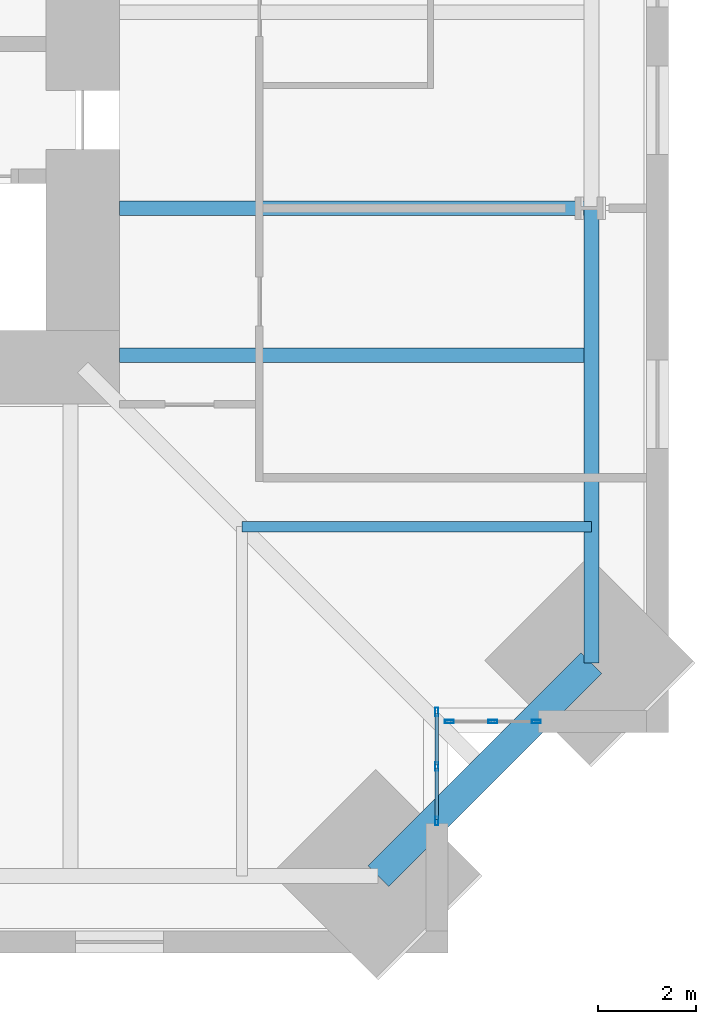
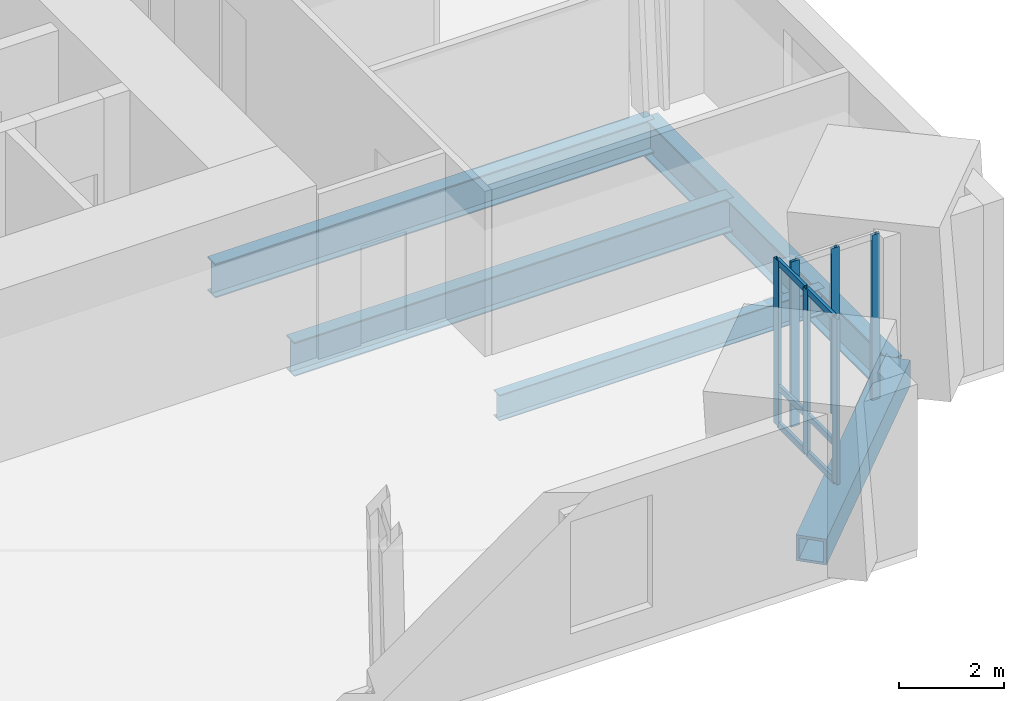
# One storey, part 4 of 15: 12 members, 5 beams, 2 elements without a shape of their own.
"""IFC4 building model written with IfcOpenShell, lengths in metres."""

import ifcopenshell
import ifcopenshell.guid

model = None  # the IFC model being written
_history = None  # IfcOwnerHistory: only IFC2X3 demands one
_inside = {}  # id of a spatial element -> (the spatial element, [elements in it])
_under = {}  # id of a project, library or spatial element -> (it, [spatial elements below it])
_declared = {}  # id of a project -> (the project, [libraries it declares])
_typed = {}  # id of a type object -> (the type object, [elements of that type])
_made_of = {}  # id of a material, layer set ... -> (it, [elements and type objects made of it])


def new_model(schema):
    """Start an empty IFC model of exactly this schema.

    Asked for "IFC4X3", IfcOpenShell would pick the latest addendum, in which some entities
    have other attributes; the version numbers below select the first issue.
    IFC2X3 requires an IfcOwnerHistory on every rooted entity: one is made here for all.
    """
    global model, _history
    if schema == "IFC4X3":
        model = ifcopenshell.file(schema_version=(4, 3, 0, 0))
    else:
        model = ifcopenshell.file(schema=schema)
    _inside.clear()
    _under.clear()
    _declared.clear()
    _typed.clear()
    _made_of.clear()
    _history = None
    if model.schema == "IFC2X3":
        org = make("IfcOrganization", Name="unknown")
        user = make(
            "IfcPersonAndOrganization",
            ThePerson=make("IfcPerson", FamilyName="unknown"),
            TheOrganization=org,
        )
        app = make(
            "IfcApplication",
            ApplicationDeveloper=org,
            Version="unknown",
            ApplicationFullName="unknown",
            ApplicationIdentifier="unknown",
        )
        _history = make(
            "IfcOwnerHistory",
            OwningUser=user,
            OwningApplication=app,
            ChangeAction="ADDED",
            CreationDate=0,
        )
    return model


def make(cls, **values):
    """One entity of the class cls with the attributes given. An attribute that is None is left unset."""
    return model.create_entity(
        cls, **{name: value for name, value in values.items() if value is not None}
    )


def rooted(cls, **values):
    """An entity with a GlobalId (a new one), such as an element, a storey or a relation."""
    return make(cls, GlobalId=ifcopenshell.guid.new(), OwnerHistory=_history, **values)


def si_unit(unit_type, name, prefix=None):
    """IfcSIUnit, for example si_unit("LENGTHUNIT", "METRE", prefix="MILLI")."""
    return make("IfcSIUnit", UnitType=unit_type, Prefix=prefix, Name=name)


def assignment(units):
    """IfcUnitAssignment: the units of a project."""
    return None if units is None else make("IfcUnitAssignment", Units=units)


def point(xyz):
    """IfcCartesianPoint."""
    return None if xyz is None else make("IfcCartesianPoint", Coordinates=xyz)


def direction(xyz):
    """IfcDirection."""
    return None if xyz is None else make("IfcDirection", DirectionRatios=xyz)


def frame(location, z_axis=None, x_axis=None):
    """IfcAxis2Placement3D, a coordinate frame: its origin and axes. An axis left out is left unset."""
    return make(
        "IfcAxis2Placement3D",
        Location=point(location),
        Axis=direction(z_axis),
        RefDirection=direction(x_axis),
    )


def frame_2d(location, x_axis=None):
    """IfcAxis2Placement2D, a coordinate frame in the plane: its origin and x axis."""
    return make(
        "IfcAxis2Placement2D", Location=point(location), RefDirection=direction(x_axis)
    )


def origin():
    """The frame at (0, 0, 0) with its axes left unset."""
    return frame((0.0, 0.0, 0.0))


def origin_2d():
    """The frame at (0, 0) in the plane with its x axis left unset."""
    return frame_2d((0.0, 0.0))


def place(relative_to, where):
    """IfcLocalPlacement: puts the frame where relative to a parent placement (None: the world)."""
    return make(
        "IfcLocalPlacement", PlacementRelTo=relative_to, RelativePlacement=where
    )


def context(
    kind, dimensions, precision=None, world=None, true_north=None, identifier=None
):
    """IfcGeometricRepresentationContext, for example the 3D "Model" context."""
    return make(
        "IfcGeometricRepresentationContext",
        ContextIdentifier=identifier,
        ContextType=kind,
        CoordinateSpaceDimension=dimensions,
        Precision=precision,
        WorldCoordinateSystem=world,
        TrueNorth=true_north,
    )


def subcontext(parent, identifier, kind, view, scale=None):
    """IfcGeometricRepresentationSubContext, for example "Body" below "Model"."""
    return make(
        "IfcGeometricRepresentationSubContext",
        ContextIdentifier=identifier,
        ContextType=kind,
        ParentContext=parent,
        TargetScale=scale,
        TargetView=view,
    )


def project(units=None, contexts=None):
    """IfcProject with its units and contexts."""
    return rooted(
        "IfcProject",
        Name="project",
        RepresentationContexts=contexts,
        UnitsInContext=assignment(units),
    )


def spatial(cls, under=None, at=None, **own):
    """A site, building, storey or space (cls), placed at a placement, below another one or the project."""
    s = rooted(cls, ObjectPlacement=at, **own)
    if under is not None:
        _under.setdefault(under.id(), (under, []))[1].append(s)
    return s


def profile(cls, at=None, kind="AREA", **sizes):
    """A parametric profile (cls). Its sizes go by their IFC names, for example OverallWidth=200.0."""
    return make(cls, ProfileType=kind, Position=at, **sizes)


def hollow_rectangle(**sizes):
    """IfcRectangleHollowProfileDef."""
    return profile("IfcRectangleHollowProfileDef", **sizes)


def i_section(**sizes):
    """IfcIShapeProfileDef."""
    return profile("IfcIShapeProfileDef", **sizes)


def extrude(swept, where, along, depth):
    """IfcExtrudedAreaSolid: the profile swept, set in the frame where, extruded along a direction by depth."""
    return make(
        "IfcExtrudedAreaSolid",
        SweptArea=swept,
        Position=where,
        ExtrudedDirection=direction(along),
        Depth=depth,
    )


def shape(context_of_items, identifier, shape_type, items):
    """IfcShapeRepresentation: the items that make up one representation, for example the "Body"."""
    return make(
        "IfcShapeRepresentation",
        ContextOfItems=context_of_items,
        RepresentationIdentifier=identifier,
        RepresentationType=shape_type,
        Items=items,
    )


def material(Name=None, Category=None):
    """IfcMaterial."""
    return make("IfcMaterial", Name=Name, Category=Category)


def material_profile(
    of_material, cross_section, Name=None, Category=None, Priority=None
):
    """IfcMaterialProfile: a cross section and its material."""
    return make(
        "IfcMaterialProfile",
        Name=Name,
        Material=of_material,
        Profile=cross_section,
        Priority=Priority,
        Category=Category,
    )


def profile_set(profiles, Name=None, composite=None):
    """IfcMaterialProfileSet."""
    return make(
        "IfcMaterialProfileSet",
        Name=Name,
        MaterialProfiles=profiles,
        CompositeProfile=composite,
    )


def made_of(thing, what):
    """Note that an element or type object is made of a material, layer set ...; save() writes the relation."""
    if what is not None:
        _made_of.setdefault(what.id(), (what, []))[1].append(thing)
    return thing


def type_object(cls, material=None, **own):
    """A type object (cls), such as IfcWallType, which elements share."""
    return made_of(rooted(cls, **own), material)


def element(
    cls,
    number,
    at=None,
    inside=None,
    cuts=None,
    type_object=None,
    material=None,
    context=None,
    identifier="Body",
    shape_type=None,
    held_by="IfcProductDefinitionShape",
    body=None,
    shapes=None,
    **own,
):
    """One element of the class cls, such as IfcWall. Its Tag is "e" and its number.

    at: its placement. inside: the storey or other place that contains it. cuts: it is an
    opening in that element (IfcRelVoidsElement). A single representation is given by context,
    identifier, shape_type and body (its items); several are given by shapes. held_by: the class
    of the entity that holds the representations. save() writes the other relations.
    """
    e = rooted(cls, Tag="e%d" % number, ObjectPlacement=at, **own)
    if body is not None:
        shapes = [shape(context, identifier, shape_type, body)]
    if shapes is not None:
        e.Representation = make(held_by, Representations=shapes)
    if inside is not None:
        _inside.setdefault(inside.id(), (inside, []))[1].append(e)
    if cuts is not None:
        rooted(
            "IfcRelVoidsElement", RelatingBuildingElement=cuts, RelatedOpeningElement=e
        )
    if type_object is not None:
        _typed.setdefault(type_object.id(), (type_object, []))[1].append(e)
    return made_of(e, material)


def aggregate(whole, parts):
    """IfcRelAggregates: a whole, such as a stair, and the parts it consists of."""
    return rooted("IfcRelAggregates", RelatingObject=whole, RelatedObjects=parts)


def save(model, path):
    """Write the relations noted so far, then the file.

    IfcRelAggregates (storeys below a building ...), IfcRelContainedInSpatialStructure (elements
    in a storey), IfcRelDefinesByType, IfcRelAssociatesMaterial and IfcRelDeclares: one each for
    every whole, place, type object, material and project.
    """
    for whole, parts in _under.values():
        aggregate(whole, parts)
    for where, things in _inside.values():
        rooted(
            "IfcRelContainedInSpatialStructure",
            RelatedElements=things,
            RelatingStructure=where,
        )
    for kind, things in _typed.values():
        rooted("IfcRelDefinesByType", RelatedObjects=things, RelatingType=kind)
    for what, things in _made_of.values():
        rooted("IfcRelAssociatesMaterial", RelatedObjects=things, RelatingMaterial=what)
    for by, libraries in _declared.values():
        rooted("IfcRelDeclares", RelatingContext=by, RelatedDefinitions=libraries)
    model.write(path)


model = new_model("IFC4")

# Units and contexts
model_context = context("Model", 3, precision=1e-05, world=origin(), true_north=direction((0.0, 1.0)))
body_context = subcontext(model_context, "Body", "Model", "MODEL_VIEW")
ifc_project = project(units=[si_unit("LENGTHUNIT", "METRE"), si_unit("AREAUNIT", "SQUARE_METRE"), si_unit("VOLUMEUNIT", "CUBIC_METRE"), si_unit("PLANEANGLEUNIT", "RADIAN"), si_unit("MASSUNIT", "GRAM", prefix="KILO")], contexts=[model_context])

# Site, building, storey
site_placement = place(None, origin())
site = spatial("IfcSite", under=ifc_project, at=site_placement, CompositionType="ELEMENT")
building_placement = place(site_placement, origin())
building = spatial("IfcBuilding", under=site, at=building_placement, Name="Peilmerk Tower", CompositionType="ELEMENT")
storey_placement = place(building_placement, frame((0.0, 0.0, 229.800048828125)))
storey = spatial("IfcBuildingStorey", under=building, at=storey_placement, Name="L50", CompositionType="ELEMENT", Elevation=229.800048828125)

# Beams
ifc_material_1 = material(Name="Steel S355", Category="steel")
ifc_material_profile_1 = material_profile(ifc_material_1, i_section(OverallWidth=0.219970703125, OverallDepth=0.60009765625, WebThickness=0.011962890625, FlangeThickness=0.01904296875, at=origin_2d()), Name="IPE 600")
ifc_profile_set_1 = profile_set([ifc_material_profile_1], Name="Steel S355")
beam_type_1 = type_object("IfcBeamType", Name="B10 IPE 600 floor beam", PredefinedType="BEAM", material=ifc_profile_set_1)
beam_1_placement = place(storey_placement, frame((14.5, -14.5, -0.469970703125), z_axis=(1.0, 0.0, 0.0), x_axis=(0.0, 1.0, 0.0)))
element("IfcBeam", 1, at=beam_1_placement, inside=storey, type_object=beam_type_1, Name="Floor beam L50", PredefinedType="BEAM", context=body_context, shape_type="SweptSolid", body=[
    extrude(i_section(OverallWidth=0.219970703125, OverallDepth=0.60009765625, WebThickness=0.011962890625, FlangeThickness=0.01904296875, at=origin_2d()), origin(), (0.0, 0.0, 1.0), 7.130615234375),
])
ifc_material_profile_2 = material_profile(ifc_material_1, i_section(OverallWidth=0.302001953125, OverallDepth=0.909912109375, WebThickness=0.02099609375, FlangeThickness=0.0400390625, at=origin_2d()), Name="HEM 900")
ifc_profile_set_2 = profile_set([ifc_material_profile_2], Name="Steel S355")
beam_type_2 = type_object("IfcBeamType", Name="B2 HEM 900 edge beam", PredefinedType="SPANDREL", material=ifc_profile_set_2)
beam_2_placement = place(storey_placement, frame((21.630615234375, -17.28076171875, -0.625), z_axis=(0.0, 1.0, 0.0), x_axis=(-1.0, 0.0, 0.0)))
element("IfcBeam", 2, at=beam_2_placement, inside=storey, type_object=beam_type_2, Name="Edge beam L50", PredefinedType="SPANDREL", context=body_context, shape_type="SweptSolid", body=[
    extrude(i_section(OverallWidth=0.302001953125, OverallDepth=0.909912109375, WebThickness=0.02099609375, FlangeThickness=0.0400390625, at=origin_2d()), origin(), (0.0, 0.0, 1.0), 9.28076171875),
])
ifc_material_2 = material(Name="Steel S460", Category="steel")
ifc_material_profile_3 = material_profile(ifc_material_2, hollow_rectangle(XDim=0.60009765625, YDim=0.60009765625, WallThickness=0.06005859375, at=origin_2d()), Name="BOX 600x600x60")
ifc_profile_set_3 = profile_set([ifc_material_profile_3], Name="Steel S460")
beam_type_3 = type_object("IfcBeamType", Name="B20 BOX 600x600x60 notch beam", PredefinedType="SPANDREL", material=ifc_profile_set_3)
beam_3_placement = place(storey_placement, frame((21.630615234375, -17.28076171875, -0.469970703125), z_axis=(-0.707106781187, -0.707106781187, 0.0), x_axis=(0.707106781187, -0.707106781187, 0.0)))
element("IfcBeam", 3, at=beam_3_placement, inside=storey, type_object=beam_type_3, Name="Notch beam L50", PredefinedType="SPANDREL", context=body_context, shape_type="SweptSolid", body=[
    extrude(hollow_rectangle(XDim=0.60009765625, YDim=0.60009765625, WallThickness=0.06005859375, at=origin_2d()), origin(), (0.0, 0.0, 1.0), 6.151611328125),
])
ifc_material_profile_4 = material_profile(ifc_material_1, i_section(OverallWidth=0.300048828125, OverallDepth=0.7900390625, WebThickness=0.014892578125, FlangeThickness=0.028076171875, at=origin_2d()), Name="HEA 800")
ifc_profile_set_4 = profile_set([ifc_material_profile_4], Name="Steel S355")
beam_type_4 = type_object("IfcBeamType", Name="B3 HEA 800 floor beam", PredefinedType="BEAM", material=ifc_profile_set_4)
for number, where, z_axis, x_axis, name in (
    (4, (12.0, -11.0, -0.56494140625), (1.0, 0.0, 0.0), (0.0, 1.0, 0.0), "Floor beam L50"),
    (5, (12.0, -8.0, -0.56494140625), (1.0, 0.0, 0.0), (0.0, 1.0, 0.0), "Floor beam L50"),
):
    element("IfcBeam", number, at=place(storey_placement, frame(where, z_axis=z_axis, x_axis=x_axis)), inside=storey, type_object=beam_type_4, Name=name, PredefinedType="BEAM", context=body_context, shape_type="SweptSolid", body=[
        extrude(i_section(OverallWidth=0.300048828125, OverallDepth=0.7900390625, WebThickness=0.014892578125, FlangeThickness=0.028076171875, at=origin_2d()), origin(), (0.0, 0.0, 1.0), 9.630615234375),
    ])

# Curtain wall, members
ifc_material_3 = material(Name="Aluminium stick curtain wall", Category="aluminium")
curtain_wall_type = type_object("IfcCurtainWallType", Name="CW4 stick curtain wall, 2250 module", PredefinedType="NOTDEFINED", material=ifc_material_3)
curtain_wall_1_placement = place(storey_placement, origin())
curtain_wall_1 = element("IfcCurtainWall", 6, at=curtain_wall_1_placement, inside=storey, type_object=curtain_wall_type, Name="Curtain wall CW4 SEA L50", PredefinedType="NOTDEFINED")
ifc_material_4 = material(Name="Aluminium EN AW-6063 T6", Category="aluminium")
ifc_material_profile_5 = material_profile(ifc_material_4, hollow_rectangle(XDim=0.06494140625, YDim=0.179931640625, WallThickness=0.0029296875, at=origin_2d()), Name="AL 180x65x3")
ifc_profile_set_5 = profile_set([ifc_material_profile_5], Name="Aluminium EN AW-6063 T6")
member_type_1 = type_object("IfcMemberType", Name="CW4-M AL 180x65x3 mullion", PredefinedType="MULLION", material=ifc_profile_set_5)
member_1_placement = place(storey_placement, frame((18.47509765625, -18.282470703125, 0.0), z_axis=(0.0, 0.0, 1.0), x_axis=(1.0, 0.0, 0.0)))
member_1 = element("IfcMember", 7, at=member_1_placement, type_object=member_type_1, Name="CW4 mullion 1", PredefinedType="MULLION", context=body_context, shape_type="SweptSolid", body=[
    extrude(hollow_rectangle(XDim=0.06494140625, YDim=0.179931640625, WallThickness=0.0029296875, at=origin_2d()), origin(), (0.0, 0.0, 1.0), 3.829833984375),
])
member_2_placement = place(storey_placement, frame((18.47509765625, -19.394287109375, 0.0), z_axis=(0.0, 0.0, 1.0), x_axis=(1.0, 0.0, 0.0)))
member_2 = element("IfcMember", 8, at=member_2_placement, type_object=member_type_1, Name="CW4 mullion 2", PredefinedType="MULLION", context=body_context, shape_type="SweptSolid", body=[
    extrude(hollow_rectangle(XDim=0.06494140625, YDim=0.179931640625, WallThickness=0.0029296875, at=origin_2d()), origin(), (0.0, 0.0, 1.0), 3.829833984375),
])
member_3_placement = place(storey_placement, frame((18.47509765625, -20.506103515625, 0.0), z_axis=(0.0, 0.0, 1.0), x_axis=(1.0, 0.0, 0.0)))
member_3 = element("IfcMember", 9, at=member_3_placement, type_object=member_type_1, Name="CW4 mullion 3", PredefinedType="MULLION", context=body_context, shape_type="SweptSolid", body=[
    extrude(hollow_rectangle(XDim=0.06494140625, YDim=0.179931640625, WallThickness=0.0029296875, at=origin_2d()), origin(), (0.0, 0.0, 1.0), 3.829833984375),
])

curtain_wall_2_placement = place(storey_placement, origin())
curtain_wall_2 = element("IfcCurtainWall", 10, at=curtain_wall_2_placement, inside=storey, type_object=curtain_wall_type, Name="Curtain wall CW4 SEB L50", PredefinedType="NOTDEFINED")
member_4_placement = place(storey_placement, frame((18.732421875, -18.47509765625, 0.0), z_axis=(0.0, 0.0, 1.0), x_axis=(0.0, 1.0, 0.0)))
member_4 = element("IfcMember", 11, at=member_4_placement, type_object=member_type_1, Name="CW4 mullion 1", PredefinedType="MULLION", context=body_context, shape_type="SweptSolid", body=[
    extrude(hollow_rectangle(XDim=0.06494140625, YDim=0.179931640625, WallThickness=0.0029296875, at=origin_2d()), origin(), (0.0, 0.0, 1.0), 3.829833984375),
])
member_5_placement = place(storey_placement, frame((19.619384765625, -18.47509765625, 0.0), z_axis=(0.0, 0.0, 1.0), x_axis=(0.0, 1.0, 0.0)))
member_5 = element("IfcMember", 12, at=member_5_placement, type_object=member_type_1, Name="CW4 mullion 2", PredefinedType="MULLION", context=body_context, shape_type="SweptSolid", body=[
    extrude(hollow_rectangle(XDim=0.06494140625, YDim=0.179931640625, WallThickness=0.0029296875, at=origin_2d()), origin(), (0.0, 0.0, 1.0), 3.829833984375),
])
member_6_placement = place(storey_placement, frame((20.506103515625, -18.47509765625, 0.0), z_axis=(0.0, 0.0, 1.0), x_axis=(0.0, 1.0, 0.0)))
member_6 = element("IfcMember", 13, at=member_6_placement, type_object=member_type_1, Name="CW4 mullion 3", PredefinedType="MULLION", context=body_context, shape_type="SweptSolid", body=[
    extrude(hollow_rectangle(XDim=0.06494140625, YDim=0.179931640625, WallThickness=0.0029296875, at=origin_2d()), origin(), (0.0, 0.0, 1.0), 3.829833984375),
])
aggregate(curtain_wall_2, [member_4, member_5, member_6])

# Member
ifc_material_profile_6 = material_profile(ifc_material_4, hollow_rectangle(XDim=0.06494140625, YDim=0.14990234375, WallThickness=0.0029296875, at=origin_2d()), Name="AL 150x65x3")
ifc_profile_set_6 = profile_set([ifc_material_profile_6], Name="Aluminium EN AW-6063 T6")
member_type_2 = type_object("IfcMemberType", Name="CW4-T AL 150x65x3 transom", PredefinedType="USERDEFINED", material=ifc_profile_set_6)
member_7_placement = place(storey_placement, frame((18.47509765625, -18.31494140625, 0.032470703125), z_axis=(0.0, -1.0, 0.0), x_axis=(1.0, 0.0, 0.0)))
member_7 = element("IfcMember", 14, at=member_7_placement, type_object=member_type_2, Name="CW4 transom 1.1", ObjectType="TRANSOM", PredefinedType="USERDEFINED", context=body_context, shape_type="SweptSolid", body=[
    extrude(hollow_rectangle(XDim=0.06494140625, YDim=0.14990234375, WallThickness=0.0029296875, at=origin_2d()), origin(), (0.0, 0.0, 1.0), 1.046875),
])

member_8_placement = place(storey_placement, frame((18.47509765625, -18.31494140625, 0.89990234375), z_axis=(0.0, -1.0, 0.0), x_axis=(1.0, 0.0, 0.0)))
member_8 = element("IfcMember", 15, at=member_8_placement, type_object=member_type_2, Name="CW4 transom 1.2", ObjectType="TRANSOM", PredefinedType="USERDEFINED", context=body_context, shape_type="SweptSolid", body=[
    extrude(hollow_rectangle(XDim=0.06494140625, YDim=0.14990234375, WallThickness=0.0029296875, at=origin_2d()), origin(), (0.0, 0.0, 1.0), 1.046875),
])

member_9_placement = place(storey_placement, frame((18.47509765625, -18.31494140625, 3.79736328125), z_axis=(0.0, -1.0, 0.0), x_axis=(1.0, 0.0, 0.0)))
member_9 = element("IfcMember", 16, at=member_9_placement, type_object=member_type_2, Name="CW4 transom 1.3", ObjectType="TRANSOM", PredefinedType="USERDEFINED", context=body_context, shape_type="SweptSolid", body=[
    extrude(hollow_rectangle(XDim=0.06494140625, YDim=0.14990234375, WallThickness=0.0029296875, at=origin_2d()), origin(), (0.0, 0.0, 1.0), 1.046875),
])

member_10_placement = place(storey_placement, frame((18.47509765625, -19.4267578125, 0.032470703125), z_axis=(0.0, -1.0, 0.0), x_axis=(1.0, 0.0, 0.0)))
member_10 = element("IfcMember", 17, at=member_10_placement, type_object=member_type_2, Name="CW4 transom 2.1", ObjectType="TRANSOM", PredefinedType="USERDEFINED", context=body_context, shape_type="SweptSolid", body=[
    extrude(hollow_rectangle(XDim=0.06494140625, YDim=0.14990234375, WallThickness=0.0029296875, at=origin_2d()), origin(), (0.0, 0.0, 1.0), 1.046875),
])

member_11_placement = place(storey_placement, frame((18.47509765625, -19.4267578125, 0.89990234375), z_axis=(0.0, -1.0, 0.0), x_axis=(1.0, 0.0, 0.0)))
member_11 = element("IfcMember", 18, at=member_11_placement, type_object=member_type_2, Name="CW4 transom 2.2", ObjectType="TRANSOM", PredefinedType="USERDEFINED", context=body_context, shape_type="SweptSolid", body=[
    extrude(hollow_rectangle(XDim=0.06494140625, YDim=0.14990234375, WallThickness=0.0029296875, at=origin_2d()), origin(), (0.0, 0.0, 1.0), 1.046875),
])

member_12_placement = place(storey_placement, frame((18.47509765625, -19.4267578125, 3.79736328125), z_axis=(0.0, -1.0, 0.0), x_axis=(1.0, 0.0, 0.0)))
member_12 = element("IfcMember", 19, at=member_12_placement, type_object=member_type_2, Name="CW4 transom 2.3", ObjectType="TRANSOM", PredefinedType="USERDEFINED", context=body_context, shape_type="SweptSolid", body=[
    extrude(hollow_rectangle(XDim=0.06494140625, YDim=0.14990234375, WallThickness=0.0029296875, at=origin_2d()), origin(), (0.0, 0.0, 1.0), 1.046875),
])

aggregate(curtain_wall_1, [member_1, member_2, member_3, member_7, member_8, member_9, member_10, member_11, member_12])

save(model, "model.ifc")
